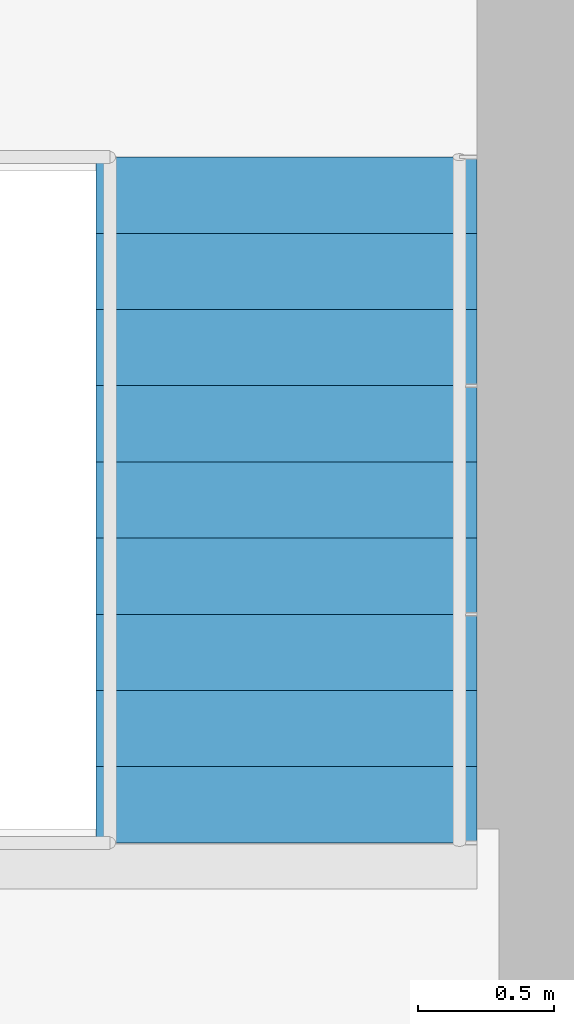
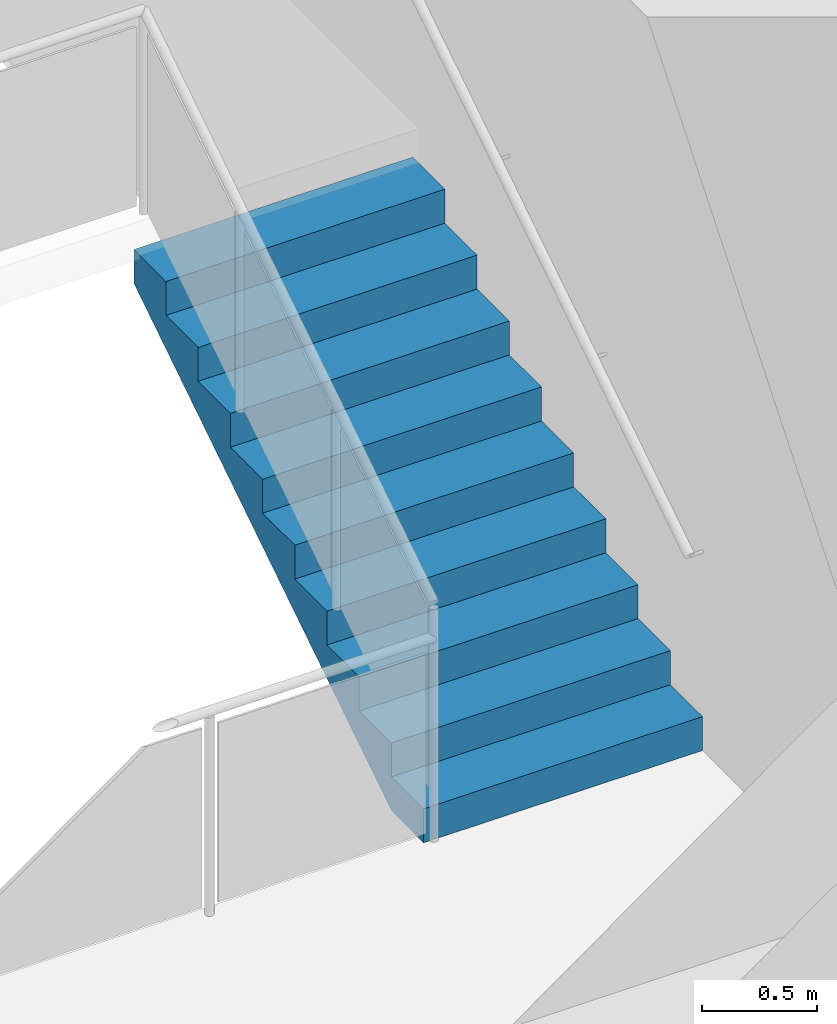
# One storey, part 13 of 15: 1 stair flight, 1 element without a shape of its own.
"""IFC4 building model written with IfcOpenShell, lengths in metres."""

from ifc_helpers import new_model, si_unit, direction, frame, origin, place, context, subcontext, project, spatial, polyline, outline, extrude, material, type_object, element, aggregate, save


model = new_model("IFC4")

# Units and contexts
model_context = context("Model", 3, precision=1e-05, world=origin(), true_north=direction((0.0, 1.0)))
body_context = subcontext(model_context, "Body", "Model", "MODEL_VIEW")
ifc_project = project(units=[si_unit("LENGTHUNIT", "METRE"), si_unit("AREAUNIT", "SQUARE_METRE"), si_unit("VOLUMEUNIT", "CUBIC_METRE"), si_unit("PLANEANGLEUNIT", "RADIAN"), si_unit("MASSUNIT", "GRAM", prefix="KILO")], contexts=[model_context])

# Site, building, storey
site_placement = place(None, origin())
site = spatial("IfcSite", under=ifc_project, at=site_placement, CompositionType="ELEMENT")
building_placement = place(site_placement, origin())
building = spatial("IfcBuilding", under=site, at=building_placement, Name="Torre Alcanfor", CompositionType="ELEMENT")
storey_placement = place(building_placement, frame((0.0, 0.0, 123.300048828125)))
storey = spatial("IfcBuildingStorey", under=building, at=storey_placement, Name="L31", CompositionType="ELEMENT", Elevation=123.300048828125)

# Stair, stair flight
ifc_material_1 = material(Name="Concrete f'c 35 MPa", Category="concrete")
stair_type = type_object("IfcStairType", Name="Exit stair S2 1400 wide", PredefinedType="HALF_TURN_STAIR", material=ifc_material_1)
stair_placement = place(storey_placement, origin())
stair = element("IfcStair", 1, at=stair_placement, inside=storey, type_object=stair_type, Name="Stair S2 L31 to L32", PredefinedType="HALF_TURN_STAIR")
ifc_material_2 = material(Name="Concrete f'c 35 MPa", Category="concrete")
stair_flight_type = type_object("IfcStairFlightType", Name="Stair flight 1400", PredefinedType="STRAIGHT", material=ifc_material_2)
stair_flight_placement = place(storey_placement, frame((36.64990234375, 31.0, 0.0), z_axis=(0.0, 0.0, 1.0), x_axis=(0.0, 1.0, 0.0)))
stair_flight = element("IfcStairFlight", 2, at=stair_flight_placement, type_object=stair_flight_type, Name="S2 flight 1", NumberOfRisers=10, NumberOfTreads=9, PredefinedType="STRAIGHT", RiserHeight=0.18, TreadLength=0.28, context=body_context, shape_type="SweptSolid", body=[
    extrude(outline(polyline([(0.0, 0.0), (0.0, 0.179931640625), (0.280029296875, 0.179931640625), (0.280029296875, 0.360107421875), (0.56005859375, 0.360107421875), (0.56005859375, 0.5400390625), (0.840087890625, 0.5400390625), (0.840087890625, 0.719970703125), (1.1201171875, 0.719970703125), (1.1201171875, 0.89990234375), (1.39990234375, 0.89990234375), (1.39990234375, 1.080078125), (1.679931640625, 1.080078125), (1.679931640625, 1.260009765625), (1.9599609375, 1.260009765625), (1.9599609375, 1.43994140625), (2.239990234375, 1.43994140625), (2.239990234375, 1.6201171875), (2.52001953125, 1.6201171875), (2.52001953125, 1.800048828125), (2.52001953125, 1.44189453125), (0.277099609375, 0.0), (0.0, 0.0)])), frame((0.0, 0.699951171875, 0.0), z_axis=(0.0, -1.0, 0.0), x_axis=(1.0, 0.0, 0.0)), (0.0, 0.0, 1.0), 1.39990234375),
])
aggregate(stair, [stair_flight])

save(model, "model.ifc")
